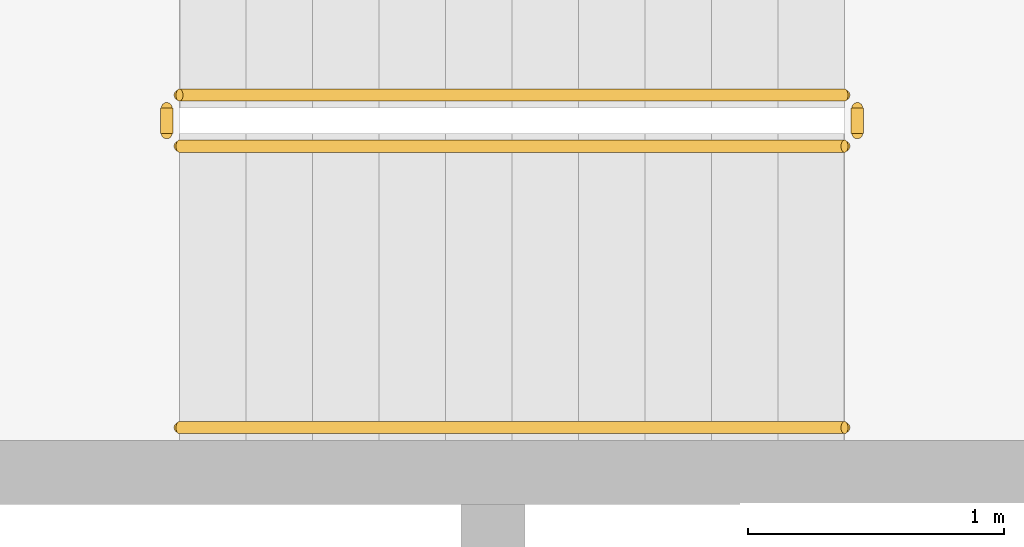
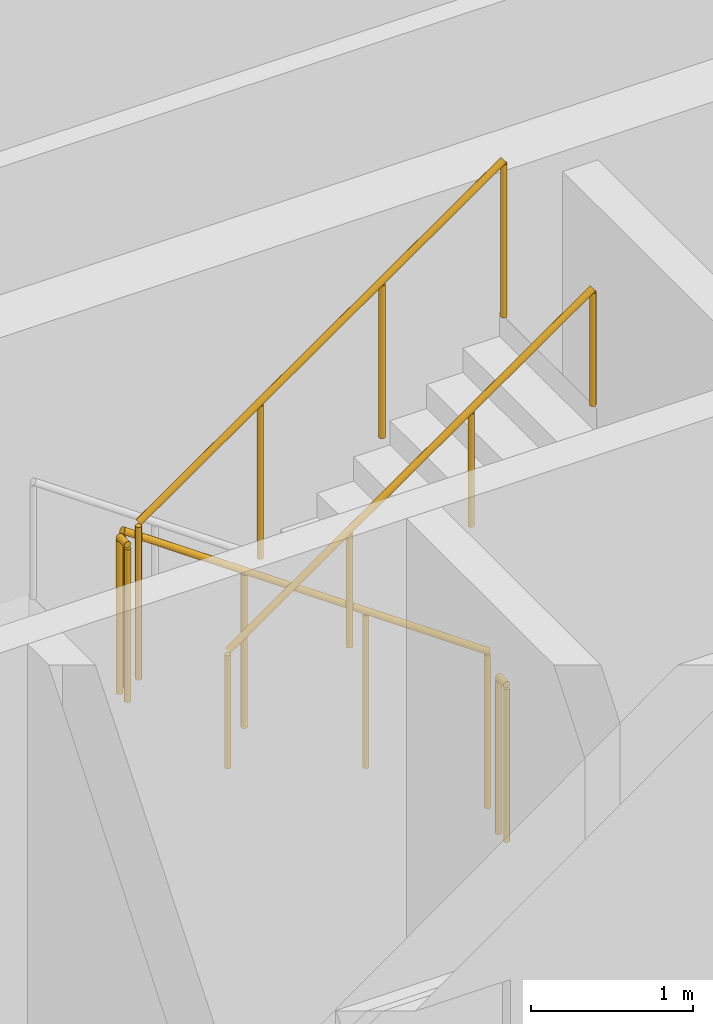
# One storey, part 21 of 23: 5 railings.
"""IFC4 building model written with IfcOpenShell, lengths in metres."""

from ifc_helpers import new_model, si_unit, direction, frame, origin, origin_2d, place, context, subcontext, project, spatial, circle, extrude, material, type_object, element, save


model = new_model("IFC4")

# Units and contexts
model_context = context("Model", 3, precision=1e-05, world=origin(), true_north=direction((0.0, 1.0)))
body_context = subcontext(model_context, "Body", "Model", "MODEL_VIEW")
ifc_project = project(units=[si_unit("LENGTHUNIT", "METRE"), si_unit("AREAUNIT", "SQUARE_METRE"), si_unit("VOLUMEUNIT", "CUBIC_METRE"), si_unit("PLANEANGLEUNIT", "RADIAN"), si_unit("MASSUNIT", "GRAM", prefix="KILO")], contexts=[model_context])

# Site, building, storey
site_placement = place(None, origin())
site = spatial("IfcSite", under=ifc_project, at=site_placement, CompositionType="ELEMENT")
building_placement = place(site_placement, origin())
building = spatial("IfcBuilding", under=site, at=building_placement, Name="Sahrelin Media Tower", CompositionType="ELEMENT")
storey_placement = place(building_placement, frame((0.0, 0.0, 217.60009765625)))
storey = spatial("IfcBuildingStorey", under=building, at=storey_placement, Name="L46", CompositionType="ELEMENT", Elevation=217.60009765625)

# Railings
ifc_material = material(Name="Steel S355", Category="steel")
railing_type_1 = type_object("IfcRailingType", Name="Stair guard 1200", PredefinedType="GUARDRAIL", material=ifc_material)
railing_1_placement = place(storey_placement, frame((7.675048828125, 5.449951171875, 0.181640625)))
element("IfcRailing", 1, at=railing_1_placement, inside=storey, type_object=railing_type_1, Name="L46 ST3 stair guard 1", PredefinedType="GUARDRAIL", context=body_context, shape_type="SweptSolid", body=[
    extrude(circle(Radius=0.02392578125, at=origin_2d()), frame((0.0, 0.0, 1.17578125), z_axis=(-0.819484887739, 0.0, 0.573100792852), x_axis=(0.0, -1.0, 0.0)), (0.0, 0.0, 1.0), 3.1728515625),
    extrude(circle(Radius=0.02099609375, at=origin_2d()), origin(), (0.0, 0.0, 1.0), 1.15185546875),
    extrude(circle(Radius=0.02099609375, at=origin_2d()), frame((-0.86669921875, 0.0, 0.606201171875)), (0.0, 0.0, 1.0), 1.15185546875),
    extrude(circle(Radius=0.02099609375, at=origin_2d()), frame((-1.7333984375, 0.0, 1.212158203125)), (0.0, 0.0, 1.0), 1.15185546875),
    extrude(circle(Radius=0.02099609375, at=origin_2d()), frame((-2.60009765625, 0.0, 1.818359375)), (0.0, 0.0, 1.0), 1.15185546875),
])
railing_2_placement = place(storey_placement, frame((5.02490234375, 5.39990234375, 2.0)))
element("IfcRailing", 2, at=railing_2_placement, inside=storey, type_object=railing_type_1, Name="L46 ST3 stair guard 2", PredefinedType="GUARDRAIL", context=body_context, shape_type="SweptSolid", body=[
    extrude(circle(Radius=0.02392578125, at=origin_2d()), frame((0.0, 0.0, 1.17578125), z_axis=(0.0, -1.0, 0.0), x_axis=(1.0, 0.0, 0.0)), (0.0, 0.0, 1.0), 0.099853515625),
    extrude(circle(Radius=0.02099609375, at=origin_2d()), origin(), (0.0, 0.0, 1.0), 1.15185546875),
    extrude(circle(Radius=0.02099609375, at=origin_2d()), frame((0.0, -0.099853515625, 0.0)), (0.0, 0.0, 1.0), 1.15185546875),
])
railing_3_placement = place(storey_placement, frame((5.074951171875, 5.25, 2.181640625)))
element("IfcRailing", 3, at=railing_3_placement, inside=storey, type_object=railing_type_1, Name="L46 ST3 stair guard 3", PredefinedType="GUARDRAIL", context=body_context, shape_type="SweptSolid", body=[
    extrude(circle(Radius=0.02392578125, at=origin_2d()), frame((0.0, 0.0, 1.17578125), z_axis=(0.819484887739, 0.0, 0.573100792852), x_axis=(0.0, 1.0, 0.0)), (0.0, 0.0, 1.0), 3.1728515625),
    extrude(circle(Radius=0.02099609375, at=origin_2d()), origin(), (0.0, 0.0, 1.0), 1.15185546875),
    extrude(circle(Radius=0.02099609375, at=origin_2d()), frame((0.86669921875, 0.0, 0.606201171875)), (0.0, 0.0, 1.0), 1.15185546875),
    extrude(circle(Radius=0.02099609375, at=origin_2d()), frame((1.7333984375, 0.0, 1.212158203125)), (0.0, 0.0, 1.0), 1.15185546875),
    extrude(circle(Radius=0.02099609375, at=origin_2d()), frame((2.60009765625, 0.0, 1.818359375)), (0.0, 0.0, 1.0), 1.15185546875),
])
railing_4_placement = place(storey_placement, frame((7.72509765625, 5.39990234375, 0.0)))
element("IfcRailing", 4, at=railing_4_placement, inside=storey, type_object=railing_type_1, Name="L46 ST3 stair guard 4", PredefinedType="GUARDRAIL", context=body_context, shape_type="SweptSolid", body=[
    extrude(circle(Radius=0.02392578125, at=origin_2d()), frame((0.0, 0.0, 1.17578125), z_axis=(0.0, -1.0, 0.0), x_axis=(1.0, 0.0, 0.0)), (0.0, 0.0, 1.0), 0.099853515625),
    extrude(circle(Radius=0.02099609375, at=origin_2d()), origin(), (0.0, 0.0, 1.0), 1.15185546875),
    extrude(circle(Radius=0.02099609375, at=origin_2d()), frame((0.0, -0.099853515625, 0.0)), (0.0, 0.0, 1.0), 1.15185546875),
])
railing_type_2 = type_object("IfcRailingType", Name="Stair handrail 900", PredefinedType="HANDRAIL", material=ifc_material)
railing_5_placement = place(storey_placement, frame((5.074951171875, 4.14990234375, 2.181640625)))
element("IfcRailing", 5, at=railing_5_placement, inside=storey, type_object=railing_type_2, Name="L46 ST3 stair handrail 2", PredefinedType="HANDRAIL", context=body_context, shape_type="SweptSolid", body=[
    extrude(circle(Radius=0.02392578125, at=origin_2d()), frame((0.0, 0.0, 0.8759765625), z_axis=(0.819484887739, 0.0, 0.573100792852), x_axis=(0.0, 1.0, 0.0)), (0.0, 0.0, 1.0), 3.1728515625),
    extrude(circle(Radius=0.02099609375, at=origin_2d()), origin(), (0.0, 0.0, 1.0), 0.851806640625),
    extrude(circle(Radius=0.02099609375, at=origin_2d()), frame((0.86669921875, 0.0, 0.606201171875)), (0.0, 0.0, 1.0), 0.851806640625),
    extrude(circle(Radius=0.02099609375, at=origin_2d()), frame((1.7333984375, 0.0, 1.212158203125)), (0.0, 0.0, 1.0), 0.851806640625),
    extrude(circle(Radius=0.02099609375, at=origin_2d()), frame((2.60009765625, 0.0, 1.818359375)), (0.0, 0.0, 1.0), 0.851806640625),
])

save(model, "model.ifc")
